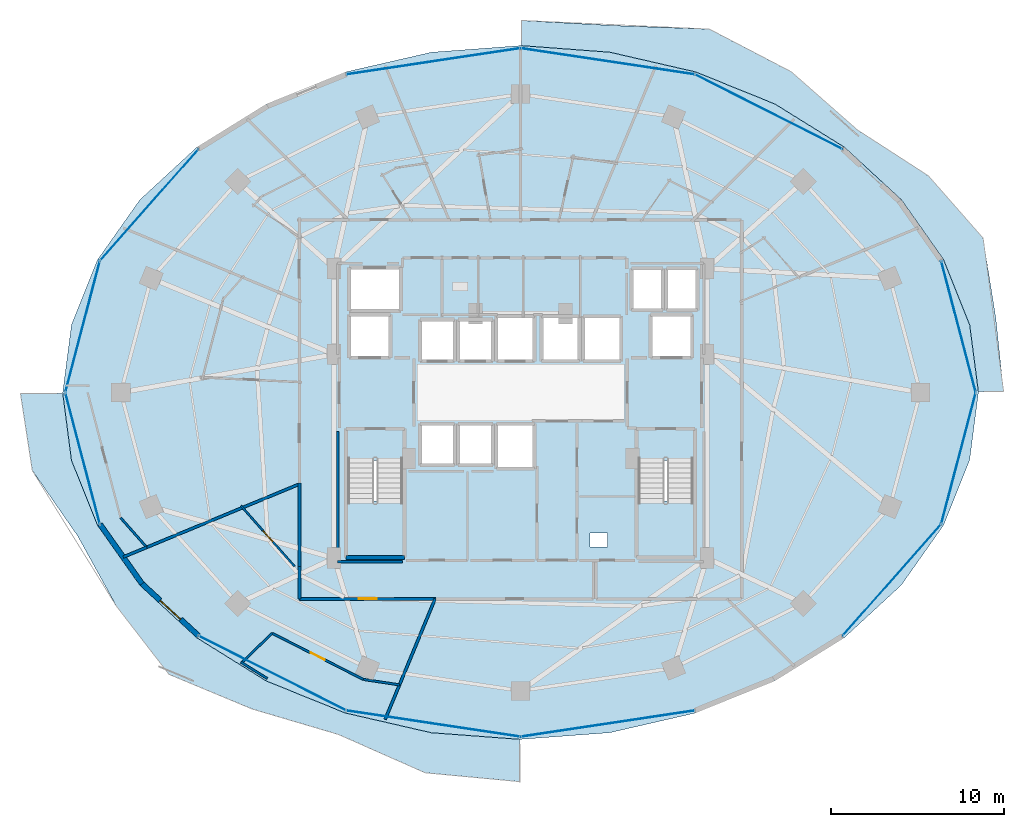
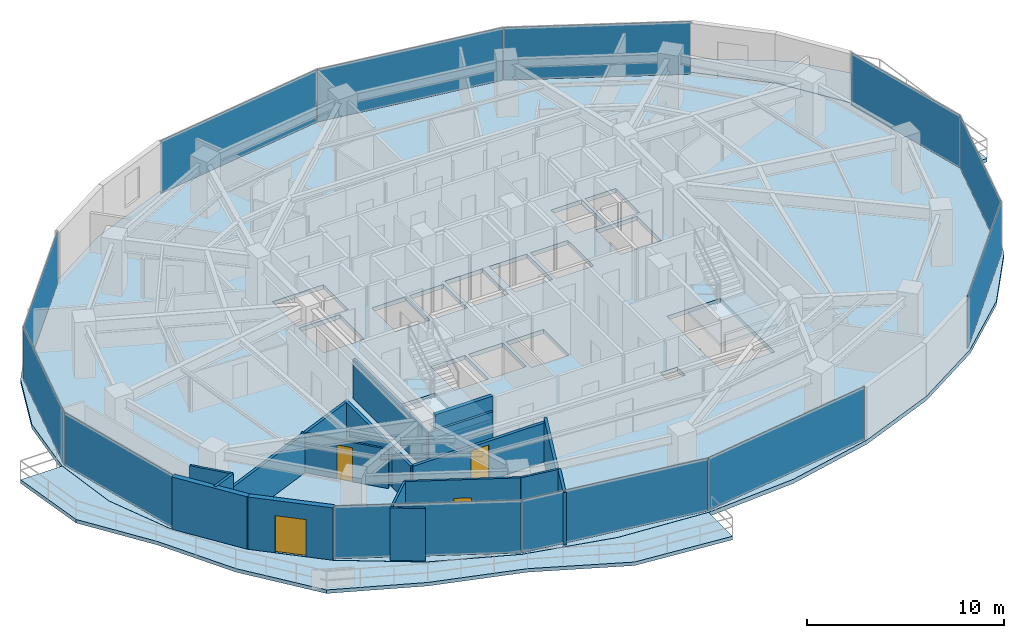
# One storey, part 23 of 31: 18 walls, 12 plates, 5 slabs, 4 doors, 4 openings, 6 elements without a shape of their own.
"""IFC4 building model written with IfcOpenShell, lengths in metres."""

import ifcopenshell
import ifcopenshell.guid

model = None  # the IFC model being written
_history = None  # IfcOwnerHistory: only IFC2X3 demands one
_inside = {}  # id of a spatial element -> (the spatial element, [elements in it])
_under = {}  # id of a project, library or spatial element -> (it, [spatial elements below it])
_declared = {}  # id of a project -> (the project, [libraries it declares])
_typed = {}  # id of a type object -> (the type object, [elements of that type])
_made_of = {}  # id of a material, layer set ... -> (it, [elements and type objects made of it])


def new_model(schema):
    """Start an empty IFC model of exactly this schema.

    Asked for "IFC4X3", IfcOpenShell would pick the latest addendum, in which some entities
    have other attributes; the version numbers below select the first issue.
    IFC2X3 requires an IfcOwnerHistory on every rooted entity: one is made here for all.
    """
    global model, _history
    if schema == "IFC4X3":
        model = ifcopenshell.file(schema_version=(4, 3, 0, 0))
    else:
        model = ifcopenshell.file(schema=schema)
    _inside.clear()
    _under.clear()
    _declared.clear()
    _typed.clear()
    _made_of.clear()
    _history = None
    if model.schema == "IFC2X3":
        org = make("IfcOrganization", Name="unknown")
        user = make(
            "IfcPersonAndOrganization",
            ThePerson=make("IfcPerson", FamilyName="unknown"),
            TheOrganization=org,
        )
        app = make(
            "IfcApplication",
            ApplicationDeveloper=org,
            Version="unknown",
            ApplicationFullName="unknown",
            ApplicationIdentifier="unknown",
        )
        _history = make(
            "IfcOwnerHistory",
            OwningUser=user,
            OwningApplication=app,
            ChangeAction="ADDED",
            CreationDate=0,
        )
    return model


def make(cls, **values):
    """One entity of the class cls with the attributes given. An attribute that is None is left unset."""
    return model.create_entity(
        cls, **{name: value for name, value in values.items() if value is not None}
    )


def rooted(cls, **values):
    """An entity with a GlobalId (a new one), such as an element, a storey or a relation."""
    return make(cls, GlobalId=ifcopenshell.guid.new(), OwnerHistory=_history, **values)


def si_unit(unit_type, name, prefix=None):
    """IfcSIUnit, for example si_unit("LENGTHUNIT", "METRE", prefix="MILLI")."""
    return make("IfcSIUnit", UnitType=unit_type, Prefix=prefix, Name=name)


def assignment(units):
    """IfcUnitAssignment: the units of a project."""
    return None if units is None else make("IfcUnitAssignment", Units=units)


def point(xyz):
    """IfcCartesianPoint."""
    return None if xyz is None else make("IfcCartesianPoint", Coordinates=xyz)


def direction(xyz):
    """IfcDirection."""
    return None if xyz is None else make("IfcDirection", DirectionRatios=xyz)


def frame(location, z_axis=None, x_axis=None):
    """IfcAxis2Placement3D, a coordinate frame: its origin and axes. An axis left out is left unset."""
    return make(
        "IfcAxis2Placement3D",
        Location=point(location),
        Axis=direction(z_axis),
        RefDirection=direction(x_axis),
    )


def frame_2d(location, x_axis=None):
    """IfcAxis2Placement2D, a coordinate frame in the plane: its origin and x axis."""
    return make(
        "IfcAxis2Placement2D", Location=point(location), RefDirection=direction(x_axis)
    )


def origin():
    """The frame at (0, 0, 0) with its axes left unset."""
    return frame((0.0, 0.0, 0.0))


def origin_2d():
    """The frame at (0, 0) in the plane with its x axis left unset."""
    return frame_2d((0.0, 0.0))


def place(relative_to, where):
    """IfcLocalPlacement: puts the frame where relative to a parent placement (None: the world)."""
    return make(
        "IfcLocalPlacement", PlacementRelTo=relative_to, RelativePlacement=where
    )


def context(
    kind, dimensions, precision=None, world=None, true_north=None, identifier=None
):
    """IfcGeometricRepresentationContext, for example the 3D "Model" context."""
    return make(
        "IfcGeometricRepresentationContext",
        ContextIdentifier=identifier,
        ContextType=kind,
        CoordinateSpaceDimension=dimensions,
        Precision=precision,
        WorldCoordinateSystem=world,
        TrueNorth=true_north,
    )


def subcontext(parent, identifier, kind, view, scale=None):
    """IfcGeometricRepresentationSubContext, for example "Body" below "Model"."""
    return make(
        "IfcGeometricRepresentationSubContext",
        ContextIdentifier=identifier,
        ContextType=kind,
        ParentContext=parent,
        TargetScale=scale,
        TargetView=view,
    )


def project(units=None, contexts=None):
    """IfcProject with its units and contexts."""
    return rooted(
        "IfcProject",
        Name="project",
        RepresentationContexts=contexts,
        UnitsInContext=assignment(units),
    )


def spatial(cls, under=None, at=None, **own):
    """A site, building, storey or space (cls), placed at a placement, below another one or the project."""
    s = rooted(cls, ObjectPlacement=at, **own)
    if under is not None:
        _under.setdefault(under.id(), (under, []))[1].append(s)
    return s


def polyline(points):
    """IfcPolyline through the points."""
    return make("IfcPolyline", Points=[point(p) for p in points])


def profile(cls, at=None, kind="AREA", **sizes):
    """A parametric profile (cls). Its sizes go by their IFC names, for example OverallWidth=200.0."""
    return make(cls, ProfileType=kind, Position=at, **sizes)


def rectangle(**sizes):
    """IfcRectangleProfileDef."""
    return profile("IfcRectangleProfileDef", **sizes)


def outline(outer, holes=None, kind="AREA"):
    """IfcArbitraryClosedProfileDef: a profile drawn as a closed curve; with holes, ...WithVoids."""
    if holes is None:
        return make("IfcArbitraryClosedProfileDef", ProfileType=kind, OuterCurve=outer)
    return make(
        "IfcArbitraryProfileDefWithVoids",
        ProfileType=kind,
        OuterCurve=outer,
        InnerCurves=holes,
    )


def extrude(swept, where, along, depth):
    """IfcExtrudedAreaSolid: the profile swept, set in the frame where, extruded along a direction by depth."""
    return make(
        "IfcExtrudedAreaSolid",
        SweptArea=swept,
        Position=where,
        ExtrudedDirection=direction(along),
        Depth=depth,
    )


def shape(context_of_items, identifier, shape_type, items):
    """IfcShapeRepresentation: the items that make up one representation, for example the "Body"."""
    return make(
        "IfcShapeRepresentation",
        ContextOfItems=context_of_items,
        RepresentationIdentifier=identifier,
        RepresentationType=shape_type,
        Items=items,
    )


def material(Name=None, Category=None):
    """IfcMaterial."""
    return make("IfcMaterial", Name=Name, Category=Category)


def layer(
    of_material, thickness, ventilated=None, Name=None, Category=None, Priority=None
):
    """IfcMaterialLayer: one layer of a wall or slab, of a material (None: an air gap)."""
    return make(
        "IfcMaterialLayer",
        Material=of_material,
        LayerThickness=thickness,
        IsVentilated=ventilated,
        Name=Name,
        Category=Category,
        Priority=Priority,
    )


def layer_set(layers, Name=None):
    """IfcMaterialLayerSet."""
    return make("IfcMaterialLayerSet", MaterialLayers=layers, LayerSetName=Name)


def made_of(thing, what):
    """Note that an element or type object is made of a material, layer set ...; save() writes the relation."""
    if what is not None:
        _made_of.setdefault(what.id(), (what, []))[1].append(thing)
    return thing


def type_object(cls, material=None, **own):
    """A type object (cls), such as IfcWallType, which elements share."""
    return made_of(rooted(cls, **own), material)


def element(
    cls,
    number,
    at=None,
    inside=None,
    cuts=None,
    type_object=None,
    material=None,
    context=None,
    identifier="Body",
    shape_type=None,
    held_by="IfcProductDefinitionShape",
    body=None,
    shapes=None,
    **own,
):
    """One element of the class cls, such as IfcWall. Its Tag is "e" and its number.

    at: its placement. inside: the storey or other place that contains it. cuts: it is an
    opening in that element (IfcRelVoidsElement). A single representation is given by context,
    identifier, shape_type and body (its items); several are given by shapes. held_by: the class
    of the entity that holds the representations. save() writes the other relations.
    """
    e = rooted(cls, Tag="e%d" % number, ObjectPlacement=at, **own)
    if body is not None:
        shapes = [shape(context, identifier, shape_type, body)]
    if shapes is not None:
        e.Representation = make(held_by, Representations=shapes)
    if inside is not None:
        _inside.setdefault(inside.id(), (inside, []))[1].append(e)
    if cuts is not None:
        rooted(
            "IfcRelVoidsElement", RelatingBuildingElement=cuts, RelatedOpeningElement=e
        )
    if type_object is not None:
        _typed.setdefault(type_object.id(), (type_object, []))[1].append(e)
    return made_of(e, material)


def fill(opening, filler):
    """IfcRelFillsElement: the door or window that sits in an opening."""
    return rooted(
        "IfcRelFillsElement",
        RelatingOpeningElement=opening,
        RelatedBuildingElement=filler,
    )


def aggregate(whole, parts):
    """IfcRelAggregates: a whole, such as a stair, and the parts it consists of."""
    return rooted("IfcRelAggregates", RelatingObject=whole, RelatedObjects=parts)


def save(model, path):
    """Write the relations noted so far, then the file.

    IfcRelAggregates (storeys below a building ...), IfcRelContainedInSpatialStructure (elements
    in a storey), IfcRelDefinesByType, IfcRelAssociatesMaterial and IfcRelDeclares: one each for
    every whole, place, type object, material and project.
    """
    for whole, parts in _under.values():
        aggregate(whole, parts)
    for where, things in _inside.values():
        rooted(
            "IfcRelContainedInSpatialStructure",
            RelatedElements=things,
            RelatingStructure=where,
        )
    for kind, things in _typed.values():
        rooted("IfcRelDefinesByType", RelatedObjects=things, RelatingType=kind)
    for what, things in _made_of.values():
        rooted("IfcRelAssociatesMaterial", RelatedObjects=things, RelatingMaterial=what)
    for by, libraries in _declared.values():
        rooted("IfcRelDeclares", RelatingContext=by, RelatedDefinitions=libraries)
    model.write(path)


model = new_model("IFC4")

# Units and contexts
model_context = context("Model", 3, precision=1e-05, world=origin(), true_north=direction((0.0, 1.0)))
body_context = subcontext(model_context, "Body", "Model", "MODEL_VIEW")
ifc_project = project(units=[si_unit("LENGTHUNIT", "METRE"), si_unit("AREAUNIT", "SQUARE_METRE"), si_unit("VOLUMEUNIT", "CUBIC_METRE"), si_unit("PLANEANGLEUNIT", "RADIAN"), si_unit("MASSUNIT", "GRAM", prefix="KILO")], contexts=[model_context])

# Site, building, storey
site_placement = place(None, origin())
site = spatial("IfcSite", under=ifc_project, at=site_placement, CompositionType="ELEMENT")
building_placement = place(site_placement, origin())
building = spatial("IfcBuilding", under=site, at=building_placement, Name="Vorneva Point Tower", CompositionType="ELEMENT")
storey_placement = place(building_placement, frame((0.0, 0.0, 103.300048828125)))
storey = spatial("IfcBuildingStorey", under=building, at=storey_placement, Name="L27", CompositionType="ELEMENT", Elevation=103.300048828125)

# Curtain wall, plates
ifc_material_1 = material(Name="Pale anodised aluminium", Category="aluminium")
curtain_wall_type = type_object("IfcCurtainWallType", Name="CW-HTL-SYS", PredefinedType="NOTDEFINED", material=ifc_material_1)
curtain_wall_1_placement = place(storey_placement, origin())
curtain_wall_1 = element("IfcCurtainWall", 1, at=curtain_wall_1_placement, inside=storey, type_object=curtain_wall_type, Name="L27 Unitised Curtain Wall CW-L27-R01", PredefinedType="NOTDEFINED")
ifc_material_2 = material(Name="Double low-e laminated glass IGU", Category="glass")
ifc_layer_1 = layer(ifc_material_2, 0.035888671875)
ifc_layer_set_1 = layer_set([ifc_layer_1], Name="Double low-e laminated glass IGU")
plate_type = type_object("IfcPlateType", Name="CW-PNL-VIS", PredefinedType="CURTAIN_PANEL", material=ifc_layer_set_1)
plate_1_placement = place(storey_placement, frame((59.40673828125, 15.183837890625, -0.02001953125), z_axis=(0.0, 0.0, 1.0), x_axis=(0.662149334693, 0.749371909379, 0.0)))
plate_1 = element("IfcPlate", 2, at=plate_1_placement, type_object=plate_type, Name="CW-L27-R01 Glazed Panel 01", PredefinedType="CURTAIN_PANEL", context=body_context, shape_type="SweptSolid", body=[
    extrude(rectangle(XDim=8.543701171875, YDim=0.035888671875, at=origin_2d()), origin(), (0.0, 0.0, 1.0), 3.280029296875),
])
plate_2_placement = place(storey_placement, frame((63.2509765625, 22.201904296875, -0.02001953125), z_axis=(0.0, 0.0, 1.0), x_axis=(0.254399404995, 0.967099241411, 0.0)))
plate_2 = element("IfcPlate", 3, at=plate_2_placement, type_object=plate_type, Name="CW-L27-R01 Glazed Panel 02", PredefinedType="CURTAIN_PANEL", context=body_context, shape_type="SweptSolid", body=[
    extrude(rectangle(XDim=7.8046875, YDim=0.035888671875, at=origin_2d()), origin(), (0.0, 0.0, 1.0), 3.280029296875),
])
plate_3_placement = place(storey_placement, frame((63.2509765625, 29.798095703125, -0.02001953125), z_axis=(0.0, 0.0, 1.0), x_axis=(-0.254399404995, 0.967099241411, 0.0)))
plate_3 = element("IfcPlate", 4, at=plate_3_placement, type_object=plate_type, Name="CW-L27-R01 Glazed Panel 03", PredefinedType="CURTAIN_PANEL", context=body_context, shape_type="SweptSolid", body=[
    extrude(rectangle(XDim=7.8046875, YDim=0.035888671875, at=origin_2d()), origin(), (0.0, 0.0, 1.0), 3.280029296875),
])
aggregate(curtain_wall_1, [plate_1, plate_2, plate_3])

curtain_wall_2_placement = place(storey_placement, origin())
curtain_wall_2 = element("IfcCurtainWall", 5, at=curtain_wall_2_placement, inside=storey, type_object=curtain_wall_type, Name="L27 Unitised Curtain Wall CW-L27-R02", PredefinedType="NOTDEFINED")
plate_4_placement = place(storey_placement, frame((52.303466796875, 42.1875, -0.02001953125), z_axis=(0.0, 0.0, 1.0), x_axis=(-0.892538597772, 0.450971009585, 0.0)))
plate_4 = element("IfcPlate", 6, at=plate_4_placement, type_object=plate_type, Name="CW-L27-R02 Glazed Panel 01", PredefinedType="CURTAIN_PANEL", context=body_context, shape_type="SweptSolid", body=[
    extrude(rectangle(XDim=9.491455078125, YDim=0.035888671875, at=origin_2d()), origin(), (0.0, 0.0, 1.0), 3.280029296875),
])
plate_5_placement = place(storey_placement, frame((43.022705078125, 45.094482421875, -0.02001953125), z_axis=(0.0, 0.0, 1.0), x_axis=(-0.988876117041, 0.148741470836, 0.0)))
plate_5 = element("IfcPlate", 7, at=plate_5_placement, type_object=plate_type, Name="CW-L27-R02 Glazed Panel 02", PredefinedType="CURTAIN_PANEL", context=body_context, shape_type="SweptSolid", body=[
    extrude(rectangle(XDim=10.1083984375, YDim=0.035888671875, at=origin_2d()), origin(), (0.0, 0.0, 1.0), 3.280029296875),
])
plate_6_placement = place(storey_placement, frame((32.977294921875, 45.094482421875, -0.02001953125), z_axis=(0.0, 0.0, 1.0), x_axis=(-0.988876117041, -0.148741470836, 0.0)))
plate_6 = element("IfcPlate", 8, at=plate_6_placement, type_object=plate_type, Name="CW-L27-R02 Glazed Panel 03", PredefinedType="CURTAIN_PANEL", context=body_context, shape_type="SweptSolid", body=[
    extrude(rectangle(XDim=10.1083984375, YDim=0.035888671875, at=origin_2d()), origin(), (0.0, 0.0, 1.0), 3.280029296875),
])
aggregate(curtain_wall_2, [plate_4, plate_5, plate_6])

curtain_wall_3_placement = place(storey_placement, origin())
curtain_wall_3 = element("IfcCurtainWall", 9, at=curtain_wall_3_placement, inside=storey, type_object=curtain_wall_type, Name="L27 Unitised Curtain Wall CW-L27-R03", PredefinedType="NOTDEFINED")
plate_7_placement = place(storey_placement, frame((16.59326171875, 36.816162109375, -0.02001953125), z_axis=(0.0, 0.0, 1.0), x_axis=(-0.662149334693, -0.749371909379, 0.0)))
plate_7 = element("IfcPlate", 10, at=plate_7_placement, type_object=plate_type, Name="CW-L27-R03 Glazed Panel 01", PredefinedType="CURTAIN_PANEL", context=body_context, shape_type="SweptSolid", body=[
    extrude(rectangle(XDim=8.543701171875, YDim=0.035888671875, at=origin_2d()), origin(), (0.0, 0.0, 1.0), 3.280029296875),
])
plate_8_placement = place(storey_placement, frame((12.7490234375, 29.798095703125, -0.02001953125), z_axis=(0.0, 0.0, 1.0), x_axis=(-0.254399404995, -0.967099241411, 0.0)))
plate_8 = element("IfcPlate", 11, at=plate_8_placement, type_object=plate_type, Name="CW-L27-R03 Glazed Panel 02", PredefinedType="CURTAIN_PANEL", context=body_context, shape_type="SweptSolid", body=[
    extrude(rectangle(XDim=7.8046875, YDim=0.035888671875, at=origin_2d()), origin(), (0.0, 0.0, 1.0), 3.280029296875),
])
plate_9_placement = place(storey_placement, frame((12.7490234375, 22.201904296875, -0.02001953125), z_axis=(0.0, 0.0, 1.0), x_axis=(0.254399404995, -0.967099241411, 0.0)))
plate_9 = element("IfcPlate", 12, at=plate_9_placement, type_object=plate_type, Name="CW-L27-R03 Glazed Panel 03", PredefinedType="CURTAIN_PANEL", context=body_context, shape_type="SweptSolid", body=[
    extrude(rectangle(XDim=7.8046875, YDim=0.035888671875, at=origin_2d()), origin(), (0.0, 0.0, 1.0), 3.280029296875),
])
aggregate(curtain_wall_3, [plate_7, plate_8, plate_9])

curtain_wall_4_placement = place(storey_placement, origin())
curtain_wall_4 = element("IfcCurtainWall", 13, at=curtain_wall_4_placement, inside=storey, type_object=curtain_wall_type, Name="L27 Unitised Curtain Wall CW-L27-R04", PredefinedType="NOTDEFINED")
plate_10_placement = place(storey_placement, frame((23.696533203125, 9.8125, -0.02001953125), z_axis=(0.0, 0.0, 1.0), x_axis=(0.892538597772, -0.450971009585, 0.0)))
plate_10 = element("IfcPlate", 14, at=plate_10_placement, type_object=plate_type, Name="CW-L27-R04 Glazed Panel 01", PredefinedType="CURTAIN_PANEL", context=body_context, shape_type="SweptSolid", body=[
    extrude(rectangle(XDim=9.491455078125, YDim=0.035888671875, at=origin_2d()), origin(), (0.0, 0.0, 1.0), 3.280029296875),
])
plate_11_placement = place(storey_placement, frame((32.977294921875, 6.905517578125, -0.02001953125), z_axis=(0.0, 0.0, 1.0), x_axis=(0.988876117041, -0.148741470836, 0.0)))
plate_11 = element("IfcPlate", 15, at=plate_11_placement, type_object=plate_type, Name="CW-L27-R04 Glazed Panel 02", PredefinedType="CURTAIN_PANEL", context=body_context, shape_type="SweptSolid", body=[
    extrude(rectangle(XDim=10.1083984375, YDim=0.035888671875, at=origin_2d()), origin(), (0.0, 0.0, 1.0), 3.280029296875),
])
plate_12_placement = place(storey_placement, frame((43.022705078125, 6.905517578125, -0.02001953125), z_axis=(0.0, 0.0, 1.0), x_axis=(0.988876117041, 0.148741470836, 0.0)))
plate_12 = element("IfcPlate", 16, at=plate_12_placement, type_object=plate_type, Name="CW-L27-R04 Glazed Panel 03", PredefinedType="CURTAIN_PANEL", context=body_context, shape_type="SweptSolid", body=[
    extrude(rectangle(XDim=10.1083984375, YDim=0.035888671875, at=origin_2d()), origin(), (0.0, 0.0, 1.0), 3.280029296875),
])
aggregate(curtain_wall_4, [plate_10, plate_11, plate_12])

# Slabs
ifc_material_3 = material(Name="Concrete B50 (C40/50)", Category="concrete")
ifc_layer_2 = layer(ifc_material_3, 0.219970703125)
ifc_layer_set_2 = layer_set([ifc_layer_2], Name="Concrete B50 (C40/50)")
slab_type_1 = type_object("IfcSlabType", Name="SLB-BAL-220", PredefinedType="FLOOR", material=ifc_layer_set_2)
slab_1_placement = place(storey_placement, frame((0.0, 0.0, -0.219970703125)))
element("IfcSlab", 17, at=slab_1_placement, inside=storey, type_object=slab_type_1, Name="L27 Cantilevered Wave Balcony NE", PredefinedType="FLOOR", context=body_context, shape_type="SweptSolid", body=[
    extrude(outline(polyline([(38.050048828125, 47.452392578125), (38.050048828125, 46.000244140625), (43.150634765625, 45.61962890625), (43.15087890625, 45.61962890625), (43.1513671875, 45.61962890625), (48.103759765625, 44.4814453125), (48.10400390625, 44.4814453125), (48.104248046875, 44.481201171875), (52.668701171875, 42.633056640625), (52.6689453125, 42.633056640625), (52.669189453125, 42.6328125), (56.669677734375, 40.1455078125), (56.669921875, 40.145263671875), (56.67041015625, 40.14501953125), (59.95361328125, 37.1142578125), (59.953857421875, 37.114013671875), (59.9541015625, 37.11376953125), (62.393798828125, 33.656005859375), (62.393798828125, 33.655517578125), (62.39404296875, 33.6552734375), (63.896484375, 29.9033203125), (63.896484375, 29.903076171875), (63.896484375, 29.902587890625), (63.896728515625, 29.90234375), (64.3974609375, 26.050048828125), (65.849609375, 26.050048828125), (65.402587890625, 30.29833984375), (64.668701171875, 34.8994140625), (61.515625, 38.49169921875), (57.42236328125, 41.138427734375), (53.609375, 44.490966796875), (48.88037109375, 46.955078125), (43.383056640625, 47.159423828125), (38.050048828125, 47.452392578125)])), origin(), (0.0, 0.0, 1.0), 0.219970703125),
])
slab_2_placement = place(storey_placement, frame((0.0, 0.0, -0.219970703125)))
element("IfcSlab", 18, at=slab_2_placement, inside=storey, type_object=slab_type_1, Name="L27 Cantilevered Wave Balcony SW", PredefinedType="FLOOR", context=body_context, shape_type="SweptSolid", body=[
    extrude(outline(polyline([(37.949951171875, 3.559814453125), (37.949951171875, 5.999755859375), (32.849365234375, 6.38037109375), (32.84912109375, 6.38037109375), (32.8486328125, 6.38037109375), (27.896240234375, 7.5185546875), (27.89599609375, 7.5185546875), (27.895751953125, 7.518798828125), (23.331298828125, 9.366943359375), (23.3310546875, 9.366943359375), (23.330810546875, 9.3671875), (19.330322265625, 11.8544921875), (19.330078125, 11.854736328125), (19.32958984375, 11.85498046875), (16.04638671875, 14.8857421875), (16.046142578125, 14.885986328125), (16.0458984375, 14.88623046875), (13.606201171875, 18.343994140625), (13.606201171875, 18.344482421875), (13.60595703125, 18.3447265625), (12.103515625, 22.0966796875), (12.103515625, 22.096923828125), (12.103515625, 22.097412109375), (12.103271484375, 22.09765625), (11.6025390625, 25.949951171875), (9.16259765625, 25.949951171875), (9.844970703125, 21.504150390625), (12.466064453125, 17.72119140625), (14.689208984375, 13.689208984375), (17.732177734375, 9.74560546875), (22.513916015625, 7.752685546875), (27.5068359375, 6.27880859375), (32.501220703125, 4.071533203125), (37.949951171875, 3.559814453125)])), origin(), (0.0, 0.0, 1.0), 0.219970703125),
])

# Stair, slab
stair_type = type_object("IfcStairType", Name="ST-DOG-1500", PredefinedType="HALF_TURN_STAIR", material=ifc_material_3)
stair_1_placement = place(storey_placement, origin())
stair_1 = element("IfcStair", 19, at=stair_1_placement, inside=storey, type_object=stair_type, Name="L27 ST1", PredefinedType="HALF_TURN_STAIR")
ifc_layer_3 = layer(ifc_material_3, 0.199951171875)
ifc_layer_set_3 = layer_set([ifc_layer_3], Name="Concrete B50 (C40/50)")
slab_type_2 = type_object("IfcSlabType", Name="SLB-LND-200", PredefinedType="LANDING", material=ifc_layer_set_3)
slab_3_placement = place(storey_placement, frame((0.0, 0.0, 1.550048828125)))
slab_3 = element("IfcSlab", 20, at=slab_3_placement, type_object=slab_type_2, Name="ST1 landing 1", PredefinedType="LANDING", context=body_context, shape_type="SweptSolid", body=[
    extrude(outline(polyline([(27.929931640625, 16.47998046875), (31.320068359375, 16.47998046875), (31.320068359375, 19.72998046875), (27.929931640625, 19.72998046875), (27.929931640625, 16.47998046875)])), origin(), (0.0, 0.0, 1.0), 0.199951171875),
])
aggregate(stair_1, [slab_3])

stair_2_placement = place(storey_placement, origin())
stair_2 = element("IfcStair", 21, at=stair_2_placement, inside=storey, type_object=stair_type, Name="L27 ST2", PredefinedType="HALF_TURN_STAIR")
slab_4_placement = place(storey_placement, frame((0.0, 0.0, 1.550048828125)))
slab_4 = element("IfcSlab", 22, at=slab_4_placement, type_object=slab_type_2, Name="ST2 landing 1", PredefinedType="LANDING", context=body_context, shape_type="SweptSolid", body=[
    extrude(outline(polyline([(44.679931640625, 16.47998046875), (48.070068359375, 16.47998046875), (48.070068359375, 19.72998046875), (44.679931640625, 19.72998046875), (44.679931640625, 16.47998046875)])), origin(), (0.0, 0.0, 1.0), 0.199951171875),
])
aggregate(stair_2, [slab_4])

# Slab
ifc_layer_4 = layer(ifc_material_3, 0.260009765625)
ifc_layer_set_4 = layer_set([ifc_layer_4], Name="Concrete B50 (C40/50)")
slab_type_3 = type_object("IfcSlabType", Name="SLB-TYP-260", PredefinedType="FLOOR", material=ifc_layer_set_4)
slab_5_placement = place(storey_placement, frame((0.0, 0.0, -0.260009765625)))
element("IfcSlab", 23, at=slab_5_placement, inside=storey, type_object=slab_type_3, Name="L27 Structural Floor Plate", PredefinedType="FLOOR", context=body_context, shape_type="SweptSolid", body=[
    extrude(outline(polyline([(64.39990234375, 26.0), (63.892578125, 29.90185546875), (62.390380859375, 33.65380859375), (59.95068359375, 37.111328125), (56.66748046875, 40.14208984375), (52.6669921875, 42.62939453125), (48.102783203125, 44.4775390625), (43.150390625, 45.61572265625), (38.0, 46.0), (32.849609375, 45.61572265625), (27.897216796875, 44.4775390625), (23.3330078125, 42.62939453125), (19.33251953125, 40.14208984375), (16.04931640625, 37.111328125), (13.609619140625, 33.65380859375), (12.107421875, 29.90185546875), (11.60009765625, 26.0), (12.107421875, 22.09814453125), (13.609619140625, 18.34619140625), (16.04931640625, 14.888671875), (19.33251953125, 11.85791015625), (23.3330078125, 9.37060546875), (27.897216796875, 7.5224609375), (32.849609375, 6.38427734375), (38.0, 6.0), (43.150390625, 6.38427734375), (48.102783203125, 7.5224609375), (52.6669921875, 9.37060546875), (56.66748046875, 11.85791015625), (59.95068359375, 14.888671875), (62.390380859375, 18.34619140625), (63.892578125, 22.09814453125), (64.39990234375, 26.0)]), holes=[polyline([(32.199951171875, 27.800048828125), (34.199951171875, 27.800048828125), (34.199951171875, 30.199951171875), (32.199951171875, 30.199951171875), (32.199951171875, 27.800048828125)]), polyline([(34.39990234375, 27.800048828125), (36.39990234375, 27.800048828125), (36.39990234375, 30.199951171875), (34.39990234375, 30.199951171875), (34.39990234375, 27.800048828125)]), polyline([(36.60009765625, 27.800048828125), (38.800048828125, 27.800048828125), (38.800048828125, 30.39990234375), (36.60009765625, 30.39990234375), (36.60009765625, 27.800048828125)]), polyline([(32.199951171875, 21.800048828125), (34.199951171875, 21.800048828125), (34.199951171875, 24.199951171875), (32.199951171875, 24.199951171875), (32.199951171875, 21.800048828125)]), polyline([(34.39990234375, 21.800048828125), (36.39990234375, 21.800048828125), (36.39990234375, 24.199951171875), (34.39990234375, 24.199951171875), (34.39990234375, 21.800048828125)]), polyline([(36.60009765625, 21.60009765625), (38.800048828125, 21.60009765625), (38.800048828125, 24.199951171875), (36.60009765625, 24.199951171875), (36.60009765625, 21.60009765625)]), polyline([(39.199951171875, 27.800048828125), (41.39990234375, 27.800048828125), (41.39990234375, 30.39990234375), (39.199951171875, 30.39990234375), (39.199951171875, 27.800048828125)]), polyline([(41.60009765625, 27.800048828125), (43.800048828125, 27.800048828125), (43.800048828125, 30.39990234375), (41.60009765625, 30.39990234375), (41.60009765625, 27.800048828125)]), polyline([(44.39990234375, 30.739990234375), (46.199951171875, 30.739990234375), (46.199951171875, 33.159912109375), (44.39990234375, 33.159912109375), (44.39990234375, 30.739990234375)]), polyline([(46.39990234375, 30.739990234375), (48.199951171875, 30.739990234375), (48.199951171875, 33.159912109375), (46.39990234375, 33.159912109375), (46.39990234375, 30.739990234375)]), polyline([(28.10009765625, 28.0), (30.5, 28.0), (30.5, 30.5), (28.10009765625, 30.5), (28.10009765625, 28.0)]), polyline([(45.5, 28.0), (47.89990234375, 28.0), (47.89990234375, 30.5), (45.5, 30.5), (45.5, 28.0)]), polyline([(28.10009765625, 30.699951171875), (31.10009765625, 30.699951171875), (31.10009765625, 33.199951171875), (28.10009765625, 33.199951171875), (28.10009765625, 30.699951171875)]), polyline([(28.050048828125, 16.60009765625), (31.199951171875, 16.60009765625), (31.199951171875, 22.080078125), (28.050048828125, 22.080078125), (28.050048828125, 16.60009765625)]), polyline([(44.800048828125, 16.60009765625), (47.949951171875, 16.60009765625), (47.949951171875, 22.080078125), (44.800048828125, 22.080078125), (44.800048828125, 16.60009765625)]), polyline([(42.0, 17.10009765625), (43.0, 17.10009765625), (43.0, 17.89990234375), (42.0, 17.89990234375), (42.0, 17.10009765625)])]), origin(), (0.0, 0.0, 1.0), 0.260009765625),
])

# Wall
ifc_material_4 = material(Name="Precast concrete B50 (C40/50)", Category="concrete")
ifc_layer_5 = layer(ifc_material_4, 0.300048828125)
ifc_layer_set_5 = layer_set([ifc_layer_5], Name="Precast concrete B50 (C40/50)")
wall_type_1 = type_object("IfcWallType", Name="WL-EXT-300", PredefinedType="STANDARD", material=ifc_layer_set_5)
wall_1_placement = place(storey_placement, frame((13.748291015625, 18.40380859375, 0.0), z_axis=(0.0, 0.0, 1.0), x_axis=(0.57716435238, -0.81662801222, 0.0)))
element("IfcWall", 24, at=wall_1_placement, inside=storey, type_object=wall_type_1, Name="L27 Pale-Metal Facade Spandrel Wall 10.1", PredefinedType="STANDARD", context=body_context, shape_type="SweptSolid", body=[
    extrude(rectangle(XDim=4.202392578125, YDim=0.300048828125, at=frame_2d((2.10107421875, 0.0))), origin(), (0.0, 0.0, 1.0), 3.239990234375),
])

# Wall, opening, door
wall_2_placement = place(storey_placement, frame((16.173828125, 14.971923828125, 0.0), z_axis=(0.0, 0.0, 1.0), x_axis=(0.735416718093, -0.677615119924, 0.0)))
wall_2 = element("IfcWall", 25, at=wall_2_placement, inside=storey, type_object=wall_type_1, Name="L27 Pale-Metal Facade Spandrel Wall 10.2", PredefinedType="STANDARD", context=body_context, shape_type="SweptSolid", body=[
    extrude(rectangle(XDim=4.439208984375, YDim=0.300048828125, at=frame_2d((2.2197265625, 0.0))), origin(), (0.0, 0.0, 1.0), 3.239990234375),
])
opening_1_placement = place(wall_2_placement, frame((1.41943359375, 0.0, 0.0)))
opening_1 = element("IfcOpeningElement", 26, at=opening_1_placement, cuts=wall_2, Name="Opening BD-01", PredefinedType="OPENING", context=body_context, shape_type="SweptSolid", body=[
    extrude(rectangle(XDim=1.60009765625, YDim=2.300048828125, at=frame_2d((0.800048828125, 1.14990234375))), frame((0.0, 0.1650390625, 0.0), z_axis=(0.0, -1.0, 0.0), x_axis=(1.0, 0.0, 0.0)), (0.0, 0.0, 1.0), 0.329833984375),
])
door_type_1 = type_object("IfcDoorType", Name="DR-BAL-1600", OperationType="SLIDING_TO_LEFT", PredefinedType="DOOR", material=ifc_material_1)
door_1_placement = place(opening_1_placement, origin())
door_1 = element("IfcDoor", 27, at=door_1_placement, inside=storey, type_object=door_type_1, Name="L27 Balcony Terrace Access Door 10", OperationType="SLIDING_TO_LEFT", OverallHeight=2.300048828125, OverallWidth=1.60009765625, PredefinedType="DOOR", context=body_context, shape_type="SweptSolid", body=[
    extrude(rectangle(XDim=1.60009765625, YDim=2.300048828125, at=frame_2d((0.800048828125, 1.14990234375))), frame((0.0, 0.02490234375, 0.0), z_axis=(0.0, -1.0, 0.0), x_axis=(1.0, 0.0, 0.0)), (0.0, 0.0, 1.0), 0.050048828125),
])
fill(opening_1, door_1)

ifc_material_5 = material(Name="Fire-rated acoustic gypsum stud partition", Category="gypsum")
ifc_layer_6 = layer(ifc_material_5, 0.110107421875)
ifc_layer_set_6 = layer_set([ifc_layer_6], Name="Fire-rated acoustic gypsum stud partition")
wall_type_2 = type_object("IfcWallType", Name="WL-PART-110", PredefinedType="PARTITIONING", material=ifc_layer_set_6)
wall_3_placement = place(storey_placement, frame((24.96875, 15.97021484375, 0.0), z_axis=(0.0, 0.0, 1.0), x_axis=(-0.662106207726, 0.749410014405, 0.0)))
wall_3 = element("IfcWall", 28, at=wall_3_placement, inside=storey, type_object=wall_type_2, Name="L27 Interior Partition 087", PredefinedType="PARTITIONING", context=body_context, shape_type="SweptSolid", body=[
    extrude(rectangle(XDim=4.66455078125, YDim=0.110107421875, at=frame_2d((2.332275390625, 0.0))), origin(), (0.0, 0.0, 1.0), 2.431884765625),
])
opening_2_placement = place(wall_3_placement, frame((1.9072265625, 0.0, 0.0)))
opening_2 = element("IfcOpeningElement", 29, at=opening_2_placement, cuts=wall_3, Name="Opening ID-02", PredefinedType="OPENING", context=body_context, shape_type="SweptSolid", body=[
    extrude(rectangle(XDim=0.85009765625, YDim=2.10009765625, at=frame_2d((0.425048828125, 1.050048828125))), frame((0.0, 0.06982421875, 0.0), z_axis=(0.0, -1.0, 0.0), x_axis=(1.0, 0.0, 0.0)), (0.0, 0.0, 1.0), 0.139892578125),
])
ifc_material_6 = material(Name="Engineered oak fire-rated door leaf", Category="wood")
door_type_2 = type_object("IfcDoorType", Name="DR-BATH-850", OperationType="NOTDEFINED", PredefinedType="DOOR", material=ifc_material_6)
door_2_placement = place(opening_2_placement, origin())
door_2 = element("IfcDoor", 30, at=door_2_placement, inside=storey, type_object=door_type_2, Name="L27 Door Corner Suite L27-08 / En-Suite Bathroom L27-08", OperationType="SINGLE_SWING_LEFT", OverallHeight=2.10009765625, OverallWidth=0.85009765625, PredefinedType="DOOR", context=body_context, shape_type="SweptSolid", body=[
    extrude(rectangle(XDim=0.85009765625, YDim=2.10009765625, at=frame_2d((0.425048828125, 1.050048828125))), frame((0.0, 0.02490234375, 0.0), z_axis=(0.0, -1.0, 0.0), x_axis=(1.0, 0.0, 0.0)), (0.0, 0.0, 1.0), 0.050048828125),
])
fill(opening_2, door_2)

# Walls
ifc_layer_7 = layer(ifc_material_5, 0.125)
ifc_layer_set_7 = layer_set([ifc_layer_7], Name="Fire-rated acoustic gypsum stud partition")
wall_type_3 = type_object("IfcWallType", Name="WL-PART-125", PredefinedType="PARTITIONING", material=ifc_layer_set_7)
wall_4_placement = place(storey_placement, frame((14.93994140625, 18.77587890625, 0.0), z_axis=(0.0, 0.0, 1.0), x_axis=(0.662288913482, -0.749248553605, 0.0)))
element("IfcWall", 31, at=wall_4_placement, inside=storey, type_object=wall_type_3, Name="L27 Interior Partition 084", PredefinedType="PARTITIONING", context=body_context, shape_type="SweptSolid", body=[
    extrude(rectangle(XDim=2.274169921875, YDim=0.125, at=frame_2d((1.13720703125, 0.0))), origin(), (0.0, 0.0, 1.0), 3.239990234375),
])
wall_5_placement = place(storey_placement, frame((21.8740234375, 10.455078125, 0.0), z_axis=(0.0, 0.0, 1.0), x_axis=(0.849018711668, -0.528362779951, 0.0)))
element("IfcWall", 32, at=wall_5_placement, inside=storey, type_object=wall_type_3, Name="L27 Interior Partition 088", PredefinedType="PARTITIONING", context=body_context, shape_type="SweptSolid", body=[
    extrude(rectangle(XDim=1.79833984375, YDim=0.125, at=frame_2d((0.899169921875, 0.0))), origin(), (0.0, 0.0, 1.0), 3.239990234375),
])
wall_6_placement = place(storey_placement, frame((21.925048828125, 10.423095703125, 0.0), z_axis=(0.0, 0.0, 1.0), x_axis=(0.718353026202, 0.695678754704, 0.0)))
element("IfcWall", 33, at=wall_6_placement, inside=storey, type_object=wall_type_3, Name="L27 Interior Partition 089", PredefinedType="PARTITIONING", context=body_context, shape_type="SweptSolid", body=[
    extrude(rectangle(XDim=2.433349609375, YDim=0.125, at=frame_2d((1.216796875, 0.0))), origin(), (0.0, 0.0, 1.0), 3.239990234375),
])

# Wall, opening, door
wall_7_placement = place(storey_placement, frame((23.673095703125, 12.115966796875, 0.0), z_axis=(0.0, 0.0, 1.0), x_axis=(0.892490283816, -0.451066617357, 0.0)))
wall_7 = element("IfcWall", 34, at=wall_7_placement, inside=storey, type_object=wall_type_3, Name="L27 Interior Partition 090", PredefinedType="PARTITIONING", context=body_context, shape_type="SweptSolid", body=[
    extrude(rectangle(XDim=5.899169921875, YDim=0.125, at=frame_2d((2.94970703125, 0.0))), origin(), (0.0, 0.0, 1.0), 3.239990234375),
])
opening_3_placement = place(wall_7_placement, frame((2.49951171875, 0.0, 0.0)))
opening_3 = element("IfcOpeningElement", 35, at=opening_3_placement, cuts=wall_7, Name="Opening ID-01", PredefinedType="OPENING", context=body_context, shape_type="SweptSolid", body=[
    extrude(rectangle(XDim=0.89990234375, YDim=2.10009765625, at=frame_2d((0.449951171875, 1.050048828125))), frame((0.0, 0.077392578125, 0.0), z_axis=(0.0, -1.0, 0.0), x_axis=(1.0, 0.0, 0.0)), (0.0, 0.0, 1.0), 0.15478515625),
])
door_type_3 = type_object("IfcDoorType", Name="DR-ROOM-900", OperationType="NOTDEFINED", PredefinedType="DOOR", material=ifc_material_6)
door_3_placement = place(opening_3_placement, origin())
door_3 = element("IfcDoor", 36, at=door_3_placement, inside=storey, type_object=door_type_3, Name="L27 Door Corner Suite L27-08 / Suite Sitting Study L27-08", OperationType="SINGLE_SWING_RIGHT", OverallHeight=2.10009765625, OverallWidth=0.89990234375, PredefinedType="DOOR", context=body_context, shape_type="SweptSolid", body=[
    extrude(rectangle(XDim=0.89990234375, YDim=2.10009765625, at=frame_2d((0.449951171875, 1.050048828125))), frame((0.0, 0.02490234375, 0.0), z_axis=(0.0, -1.0, 0.0), x_axis=(1.0, 0.0, 0.0)), (0.0, 0.0, 1.0), 0.050048828125),
])
fill(opening_3, door_3)

# Walls
wall_8_placement = place(storey_placement, frame((28.93798828125, 9.455078125, 0.0), z_axis=(0.0, 0.0, 1.0), x_axis=(0.988868142427, -0.148794478708, 0.0)))
element("IfcWall", 37, at=wall_8_placement, inside=storey, type_object=wall_type_3, Name="L27 Interior Partition 091", PredefinedType="PARTITIONING", context=body_context, shape_type="SweptSolid", body=[
    extrude(rectangle(XDim=2.103515625, YDim=0.125, at=frame_2d((1.0517578125, 0.0))), origin(), (0.0, 0.0, 1.0), 3.239990234375),
])
ifc_layer_8 = layer(ifc_material_5, 0.139892578125)
ifc_layer_set_8 = layer_set([ifc_layer_8], Name="Fire-rated acoustic gypsum stud partition")
wall_type_4 = type_object("IfcWallType", Name="WL-PART-140", PredefinedType="PARTITIONING", material=ifc_layer_set_8)
wall_9_placement = place(storey_placement, frame((31.195068359375, 16.239990234375, 0.0), z_axis=(0.0, 0.0, 1.0), x_axis=(-1.0, 0.0, 0.0)))
element("IfcWall", 38, at=wall_9_placement, inside=storey, type_object=wall_type_4, Name="L27 Interior Closure Partition 108", PredefinedType="PARTITIONING", context=body_context, shape_type="SweptSolid", body=[
    extrude(rectangle(XDim=3.7451171875, YDim=0.139892578125, at=frame_2d((1.87255859375, 0.0))), origin(), (0.0, 0.0, 1.0), 2.431884765625),
])
wall_10_placement = place(storey_placement, frame((27.449951171875, 16.239990234375, 0.0), z_axis=(0.0, 0.0, 1.0), x_axis=(0.0, 1.0, 0.0)))
element("IfcWall", 39, at=wall_10_placement, inside=storey, type_object=wall_type_4, Name="L27 Interior Closure Partition 109", PredefinedType="PARTITIONING", context=body_context, shape_type="SweptSolid", body=[
    extrude(rectangle(XDim=7.513916015625, YDim=0.139892578125, at=frame_2d((3.7568359375, 0.0))), origin(), (0.0, 0.0, 1.0), 2.431884765625),
])
ifc_layer_9 = layer(ifc_material_5, 0.159912109375)
ifc_layer_set_9 = layer_set([ifc_layer_9], Name="Fire-rated acoustic gypsum stud partition")
wall_type_5 = type_object("IfcWallType", Name="WL-PART-160", PredefinedType="PARTITIONING", material=ifc_layer_set_9)
wall_11_placement = place(storey_placement, frame((16.446044921875, 17.072021484375, 0.0), z_axis=(0.0, 0.0, 1.0), x_axis=(0.92387006918, 0.382706278068, 0.0)))
element("IfcWall", 40, at=wall_11_placement, inside=storey, type_object=wall_type_5, Name="L27 Interior Partition 085", PredefinedType="PARTITIONING", context=body_context, shape_type="SweptSolid", body=[
    extrude(rectangle(XDim=9.529541015625, YDim=0.159912109375, at=frame_2d((4.7646484375, 0.0))), origin(), (0.0, 0.0, 1.0), 2.431884765625),
])
wall_12_placement = place(storey_placement, frame((15.089111328125, 16.510009765625, 0.0), z_axis=(0.0, 0.0, 1.0), x_axis=(0.923891226159, 0.382655200183, 0.0)))
element("IfcWall", 41, at=wall_12_placement, inside=storey, type_object=wall_type_5, Name="L27 Interior Partition 086", PredefinedType="PARTITIONING", context=body_context, shape_type="SweptSolid", body=[
    extrude(rectangle(XDim=1.46875, YDim=0.159912109375, at=frame_2d((0.734375, 0.0))), origin(), (0.0, 0.0, 1.0), 3.239990234375),
])
wall_13_placement = place(storey_placement, frame((31.01806640625, 9.14208984375, 0.0), z_axis=(0.0, 0.0, 1.0), x_axis=(0.382572793579, 0.923925352836, 0.0)))
element("IfcWall", 42, at=wall_13_placement, inside=storey, type_object=wall_type_5, Name="L27 Interior Partition 092", PredefinedType="PARTITIONING", context=body_context, shape_type="SweptSolid", body=[
    extrude(rectangle(XDim=5.3662109375, YDim=0.159912109375, at=frame_2d((2.68310546875, 0.0))), origin(), (0.0, 0.0, 1.0), 2.677001953125),
])
wall_14_placement = place(storey_placement, frame((30.19189453125, 7.14892578125, 0.0), z_axis=(0.0, 0.0, 1.0), x_axis=(0.382911401564, 0.923785071622, 0.0)))
element("IfcWall", 43, at=wall_14_placement, inside=storey, type_object=wall_type_5, Name="L27 Interior Partition 093", PredefinedType="PARTITIONING", context=body_context, shape_type="SweptSolid", body=[
    extrude(rectangle(XDim=2.15771484375, YDim=0.159912109375, at=frame_2d((1.078857421875, 0.0))), origin(), (0.0, 0.0, 1.0), 3.239990234375),
])
ifc_material_7 = material(Name="Autoclaved aerated concrete blockwork", Category="masonry")
ifc_layer_10 = layer(ifc_material_7, 0.179931640625)
ifc_layer_set_10 = layer_set([ifc_layer_10], Name="Autoclaved aerated concrete blockwork")
wall_type_6 = type_object("IfcWallType", Name="WL-PART-180", PredefinedType="PARTITIONING", material=ifc_layer_set_10)
wall_15_placement = place(storey_placement, frame((25.25, 15.952880859375, 0.0), z_axis=(0.0, 0.0, 1.0), x_axis=(0.0, -1.0, 0.0)))
element("IfcWall", 44, at=wall_15_placement, inside=storey, type_object=wall_type_6, Name="L27 Interior Partition 044", PredefinedType="PARTITIONING", context=body_context, shape_type="SweptSolid", body=[
    extrude(rectangle(XDim=1.852783203125, YDim=0.179931640625, at=frame_2d((0.92626953125, 0.0))), origin(), (0.0, 0.0, 1.0), 2.431884765625),
])

# Wall, opening, door
wall_16_placement = place(storey_placement, frame((25.25, 14.10009765625, 0.0), z_axis=(0.0, 0.0, 1.0), x_axis=(1.0, 0.0, 0.0)))
wall_16 = element("IfcWall", 45, at=wall_16_placement, inside=storey, type_object=wall_type_6, Name="L27 Interior Partition 045", PredefinedType="PARTITIONING", context=body_context, shape_type="SweptSolid", body=[
    extrude(rectangle(XDim=7.881103515625, YDim=0.179931640625, at=frame_2d((3.9404296875, 0.0))), origin(), (0.0, 0.0, 1.0), 2.431884765625),
])
opening_4_placement = place(wall_16_placement, frame((3.41552734375, 0.0, 0.0)))
opening_4 = element("IfcOpeningElement", 46, at=opening_4_placement, cuts=wall_16, Name="Opening UD-02", PredefinedType="OPENING", context=body_context, shape_type="SweptSolid", body=[
    extrude(rectangle(XDim=1.050048828125, YDim=2.199951171875, at=frame_2d((0.52490234375, 1.10009765625))), frame((0.0, 0.10498046875, 0.0), z_axis=(0.0, -1.0, 0.0), x_axis=(1.0, 0.0, 0.0)), (0.0, 0.0, 1.0), 0.209716796875),
])
door_type_4 = type_object("IfcDoorType", Name="DR-SUITE-1050", OperationType="NOTDEFINED", PredefinedType="DOOR", material=ifc_material_6)
door_4_placement = place(opening_4_placement, origin())
door_4 = element("IfcDoor", 47, at=door_4_placement, inside=storey, type_object=door_type_4, Name="L27 Door L27 Circulation Corridor / Corner Suite L27-08", OperationType="SINGLE_SWING_LEFT", OverallHeight=2.199951171875, OverallWidth=1.050048828125, PredefinedType="DOOR", context=body_context, shape_type="SweptSolid", body=[
    extrude(rectangle(XDim=1.050048828125, YDim=2.199951171875, at=frame_2d((0.52490234375, 1.10009765625))), frame((0.0, 0.02490234375, 0.0), z_axis=(0.0, -1.0, 0.0), x_axis=(1.0, 0.0, 0.0)), (0.0, 0.0, 1.0), 0.050048828125),
])
fill(opening_4, door_4)

# Walls
wall_17_placement = place(storey_placement, frame((25.25, 20.7939453125, 0.0), z_axis=(0.0, 0.0, 1.0), x_axis=(0.0, -1.0, 0.0)))
element("IfcWall", 48, at=wall_17_placement, inside=storey, type_object=wall_type_6, Name="L27 Interior Partition 046", PredefinedType="PARTITIONING", context=body_context, shape_type="SweptSolid", body=[
    extrude(rectangle(XDim=4.98095703125, YDim=0.179931640625, at=frame_2d((2.490478515625, 0.0))), origin(), (0.0, 0.0, 1.0), 2.431884765625),
])
ifc_layer_11 = layer(ifc_material_3, 0.219970703125)
ifc_layer_set_11 = layer_set([ifc_layer_11], Name="Concrete B50 (C40/50)")
wall_type_7 = type_object("IfcWallType", Name="WL-SHFT-220", PredefinedType="SOLIDWALL", material=ifc_layer_set_11)
wall_18_placement = place(storey_placement, frame((31.31005859375, 16.489990234375, 0.0), z_axis=(0.0, 0.0, 1.0), x_axis=(-1.0, 0.0, 0.0)))
element("IfcWall", 49, at=wall_18_placement, inside=storey, type_object=wall_type_7, Name="L27 Exit Stair ST1 Shaft Wall far", PredefinedType="SOLIDWALL", context=body_context, shape_type="SweptSolid", body=[
    extrude(rectangle(XDim=3.3701171875, YDim=0.219970703125, at=frame_2d((1.68505859375, 0.0))), origin(), (0.0, 0.0, 1.0), 3.239990234375),
])

save(model, "model.ifc")
